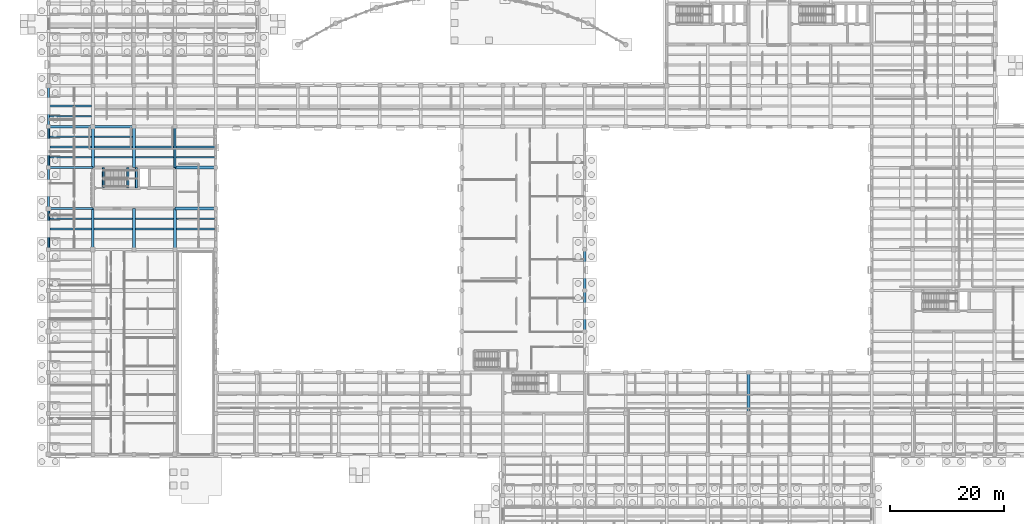
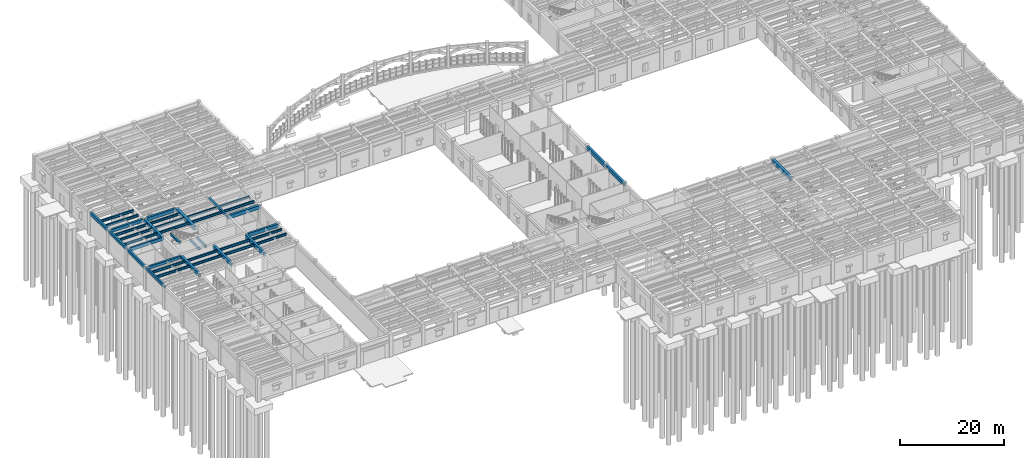
# One storey, part 21 of 100: 42 beams.
"""IFC4 building model written with IfcOpenShell, lengths in metres."""

from ifc_helpers import new_model, si_unit, direction, frame, origin, origin_2d, place, context, subcontext, project, spatial, rectangle, i_section, extrude, material, material_profile, profile_set, type_object, element, save


model = new_model("IFC4")

# Units and contexts
model_context = context("Model", 3, precision=1e-05, world=origin(), true_north=direction((0.0, 1.0)))
body_context = subcontext(model_context, "Body", "Model", "MODEL_VIEW")
ifc_project = project(units=[si_unit("LENGTHUNIT", "METRE"), si_unit("AREAUNIT", "SQUARE_METRE"), si_unit("VOLUMEUNIT", "CUBIC_METRE"), si_unit("PLANEANGLEUNIT", "RADIAN"), si_unit("MASSUNIT", "GRAM", prefix="KILO")], contexts=[model_context])

# Site, building, storey
site_placement = place(None, origin())
site = spatial("IfcSite", under=ifc_project, at=site_placement, CompositionType="ELEMENT")
building_placement = place(site_placement, origin())
building = spatial("IfcBuilding", under=site, at=building_placement, Name="Mithqara Police Headquarters", CompositionType="ELEMENT")
storey_placement = place(building_placement, origin())
storey = spatial("IfcBuildingStorey", under=building, at=storey_placement, Name="L00", CompositionType="ELEMENT", Elevation=0.0)

# Beams
ifc_material_1 = material(Name="Steel S355JR", Category="steel")
ifc_material_profile_1 = material_profile(ifc_material_1, i_section(OverallWidth=0.300048828125, OverallDepth=0.550048828125, WebThickness=0.014892578125, FlangeThickness=0.029052734375, FilletRadius=0.027099609375, at=origin_2d()), Name="HEB 550")
ifc_profile_set_1 = profile_set([ifc_material_profile_1], Name="Steel S355JR")
beam_type_1 = type_object("IfcBeamType", Name="BEAM HEB550", PredefinedType="BEAM", material=ifc_profile_set_1)
for number, where, z_axis, x_axis, name in (
    (1, (0.175048828125, 60.60009765625, 4.844970703125), (1.0, 0.0, 0.0), (0.0, 1.0, 0.0), "L00 Composite Steel Joist 1-2/J.2"),
    (2, (0.175048828125, 62.39990234375, 4.844970703125), (1.0, 0.0, 0.0), (0.0, 1.0, 0.0), "L00 Composite Steel Joist 1-2/J.3"),
):
    element("IfcBeam", number, at=place(storey_placement, frame(where, z_axis=z_axis, x_axis=x_axis)), inside=storey, type_object=beam_type_1, Name=name, PredefinedType="BEAM", context=body_context, shape_type="SweptSolid", body=[
        extrude(i_section(OverallWidth=0.300048828125, OverallDepth=0.550048828125, WebThickness=0.014892578125, FlangeThickness=0.029052734375, FilletRadius=0.027099609375, at=origin_2d()), origin(), (0.0, 0.0, 1.0), 7.39990234375),
    ])
for number, where, z_axis, x_axis, name in (
    (3, (0.175048828125, 73.199951171875, 4.844970703125), (1.0, 0.0, 0.0), (0.0, 1.0, 0.0), "L00 Composite Steel Joist 1-2/L.1"),
    (4, (0.175048828125, 75.0, 4.844970703125), (1.0, 0.0, 0.0), (0.0, 1.0, 0.0), "L00 Composite Steel Joist 1-2/L.2"),
    (5, (0.175048828125, 76.800048828125, 4.844970703125), (1.0, 0.0, 0.0), (0.0, 1.0, 0.0), "L00 Composite Steel Joist 1-2/L.3"),
):
    element("IfcBeam", number, at=place(storey_placement, frame(where, z_axis=z_axis, x_axis=x_axis)), inside=storey, type_object=beam_type_1, Name=name, PredefinedType="BEAM", context=body_context, shape_type="SweptSolid", body=[
        extrude(i_section(OverallWidth=0.300048828125, OverallDepth=0.550048828125, WebThickness=0.014892578125, FlangeThickness=0.029052734375, FilletRadius=0.027099609375, at=origin_2d()), origin(), (0.0, 0.0, 1.0), 7.375),
    ])
for number, where, z_axis, x_axis, name in (
    (6, (0.199951171875, 80.39990234375, 4.844970703125), (1.0, 0.0, 0.0), (0.0, 1.0, 0.0), "L00 Composite Steel Joist 1-2/M.1"),
    (7, (0.199951171875, 82.199951171875, 4.844970703125), (1.0, 0.0, 0.0), (0.0, 1.0, 0.0), "L00 Composite Steel Joist 1-2/M.2"),
):
    element("IfcBeam", number, at=place(storey_placement, frame(where, z_axis=z_axis, x_axis=x_axis)), inside=storey, type_object=beam_type_1, Name=name, PredefinedType="BEAM", context=body_context, shape_type="SweptSolid", body=[
        extrude(i_section(OverallWidth=0.300048828125, OverallDepth=0.550048828125, WebThickness=0.014892578125, FlangeThickness=0.029052734375, FilletRadius=0.027099609375, at=origin_2d()), origin(), (0.0, 0.0, 1.0), 7.324951171875),
    ])
for number, where, z_axis, x_axis, name in (
    (8, (8.02490234375, 60.60009765625, 4.844970703125), (1.0, 0.0, 0.0), (0.0, 1.0, 0.0), "L00 Composite Steel Joist 2-3/J.2"),
    (9, (8.02490234375, 62.39990234375, 4.844970703125), (1.0, 0.0, 0.0), (0.0, 1.0, 0.0), "L00 Composite Steel Joist 2-3/J.3"),
):
    element("IfcBeam", number, at=place(storey_placement, frame(where, z_axis=z_axis, x_axis=x_axis)), inside=storey, type_object=beam_type_1, Name=name, PredefinedType="BEAM", context=body_context, shape_type="SweptSolid", body=[
        extrude(i_section(OverallWidth=0.300048828125, OverallDepth=0.550048828125, WebThickness=0.014892578125, FlangeThickness=0.029052734375, FilletRadius=0.027099609375, at=origin_2d()), origin(), (0.0, 0.0, 1.0), 6.72509765625),
    ])
for number, where, z_axis, x_axis, name in (
    (10, (8.050048828125, 73.199951171875, 4.844970703125), (1.0, 0.0, 0.0), (0.0, 1.0, 0.0), "L00 Composite Steel Joist 2-3/L.1"),
    (11, (8.050048828125, 75.0, 4.844970703125), (1.0, 0.0, 0.0), (0.0, 1.0, 0.0), "L00 Composite Steel Joist 2-3/L.2"),
    (12, (8.050048828125, 76.800048828125, 4.844970703125), (1.0, 0.0, 0.0), (0.0, 1.0, 0.0), "L00 Composite Steel Joist 2-3/L.3"),
):
    element("IfcBeam", number, at=place(storey_placement, frame(where, z_axis=z_axis, x_axis=x_axis)), inside=storey, type_object=beam_type_1, Name=name, PredefinedType="BEAM", context=body_context, shape_type="SweptSolid", body=[
        extrude(i_section(OverallWidth=0.300048828125, OverallDepth=0.550048828125, WebThickness=0.014892578125, FlangeThickness=0.029052734375, FilletRadius=0.027099609375, at=origin_2d()), origin(), (0.0, 0.0, 1.0), 6.675048828125),
    ])
for number, where, z_axis, x_axis, name in (
    (13, (15.25, 60.60009765625, 4.844970703125), (1.0, 0.0, 0.0), (0.0, 1.0, 0.0), "L00 Composite Steel Joist 3-4/J.2"),
    (14, (15.25, 62.39990234375, 4.844970703125), (1.0, 0.0, 0.0), (0.0, 1.0, 0.0), "L00 Composite Steel Joist 3-4/J.3"),
):
    element("IfcBeam", number, at=place(storey_placement, frame(where, z_axis=z_axis, x_axis=x_axis)), inside=storey, type_object=beam_type_1, Name=name, PredefinedType="BEAM", context=body_context, shape_type="SweptSolid", body=[
        extrude(i_section(OverallWidth=0.300048828125, OverallDepth=0.550048828125, WebThickness=0.014892578125, FlangeThickness=0.029052734375, FilletRadius=0.027099609375, at=origin_2d()), origin(), (0.0, 0.0, 1.0), 6.699951171875),
    ])
for number, where, z_axis, x_axis, name in (
    (15, (15.27490234375, 73.199951171875, 4.844970703125), (1.0, 0.0, 0.0), (0.0, 1.0, 0.0), "L00 Composite Steel Joist 3-4/L.1"),
    (16, (15.27490234375, 75.0, 4.844970703125), (1.0, 0.0, 0.0), (0.0, 1.0, 0.0), "L00 Composite Steel Joist 3-4/L.2"),
):
    element("IfcBeam", number, at=place(storey_placement, frame(where, z_axis=z_axis, x_axis=x_axis)), inside=storey, type_object=beam_type_1, Name=name, PredefinedType="BEAM", context=body_context, shape_type="SweptSolid", body=[
        extrude(i_section(OverallWidth=0.300048828125, OverallDepth=0.550048828125, WebThickness=0.014892578125, FlangeThickness=0.029052734375, FilletRadius=0.027099609375, at=origin_2d()), origin(), (0.0, 0.0, 1.0), 6.75),
    ])
for number, where, z_axis, x_axis, name in (
    (17, (22.449951171875, 60.60009765625, 4.844970703125), (1.0, 0.0, 0.0), (0.0, 1.0, 0.0), "L00 Composite Steel Joist 4-5/J.2"),
    (18, (22.449951171875, 62.39990234375, 4.844970703125), (1.0, 0.0, 0.0), (0.0, 1.0, 0.0), "L00 Composite Steel Joist 4-5/J.3"),
):
    element("IfcBeam", number, at=place(storey_placement, frame(where, z_axis=z_axis, x_axis=x_axis)), inside=storey, type_object=beam_type_1, Name=name, PredefinedType="BEAM", context=body_context, shape_type="SweptSolid", body=[
        extrude(i_section(OverallWidth=0.300048828125, OverallDepth=0.550048828125, WebThickness=0.014892578125, FlangeThickness=0.029052734375, FilletRadius=0.027099609375, at=origin_2d()), origin(), (0.0, 0.0, 1.0), 6.675048828125),
    ])
for number, where, z_axis, x_axis, name in (
    (19, (22.375, 73.199951171875, 4.844970703125), (1.0, 0.0, 0.0), (0.0, 1.0, 0.0), "L00 Composite Steel Joist 4-5/L.1"),
    (20, (22.375, 75.0, 4.844970703125), (1.0, 0.0, 0.0), (0.0, 1.0, 0.0), "L00 Composite Steel Joist 4-5/L.2"),
):
    element("IfcBeam", number, at=place(storey_placement, frame(where, z_axis=z_axis, x_axis=x_axis)), inside=storey, type_object=beam_type_1, Name=name, PredefinedType="BEAM", context=body_context, shape_type="SweptSolid", body=[
        extrude(i_section(OverallWidth=0.300048828125, OverallDepth=0.550048828125, WebThickness=0.014892578125, FlangeThickness=0.029052734375, FilletRadius=0.027099609375, at=origin_2d()), origin(), (0.0, 0.0, 1.0), 6.85009765625),
    ])
ifc_material_2 = material(Name="Concrete C40/50", Category="concrete")
ifc_material_profile_2 = material_profile(ifc_material_2, rectangle(XDim=0.35009765625, YDim=0.550048828125, at=origin_2d()), Name="RC 350x550")
ifc_profile_set_2 = profile_set([ifc_material_profile_2], Name="Concrete C40/50")
beam_type_2 = type_object("IfcBeamType", Name="BEAM RC350X550", PredefinedType="BEAM", material=ifc_profile_set_2)
beam_1_placement = place(storey_placement, frame((22.199951171875, 71.39990234375, 4.844970703125), z_axis=(0.0, 1.0, 0.0), x_axis=(-1.0, 0.0, 0.0)))
element("IfcBeam", 21, at=beam_1_placement, inside=storey, type_object=beam_type_2, Name="L00 Girder 4/L-M", PredefinedType="BEAM", context=body_context, shape_type="SweptSolid", body=[
    extrude(rectangle(XDim=0.35009765625, YDim=0.550048828125, at=origin_2d()), origin(), (0.0, 0.0, 1.0), 7.2001953125),
])
for number, where, z_axis, x_axis, name in (
    (22, (13.949951171875, 67.820068359375, 2.235107421875), (0.0, 1.0, 0.0), (-1.0, 0.0, 0.0), "L00 ST-03 Half-Landing Bearer LF"),
    (23, (15.449951171875, 67.820068359375, 2.235107421875), (0.0, 1.0, 0.0), (-1.0, 0.0, 0.0), "L00 ST-03 Half-Landing Bearer LB"),
    (24, (9.576904296875, 67.820068359375, 5.125), (0.0, 1.0, 0.0), (-1.0, 0.0, 0.0), "L00 ST-03 Stairwell Trimmer Beam"),
):
    element("IfcBeam", number, at=place(storey_placement, frame(where, z_axis=z_axis, x_axis=x_axis)), inside=storey, type_object=beam_type_2, Name=name, PredefinedType="BEAM", context=body_context, shape_type="SweptSolid", body=[
        extrude(rectangle(XDim=0.35009765625, YDim=0.550048828125, at=origin_2d()), origin(), (0.0, 0.0, 1.0), 3.579833984375),
    ])
ifc_material_profile_3 = material_profile(ifc_material_2, rectangle(XDim=0.39990234375, YDim=0.64990234375, at=origin_2d()), Name="RC 400x650")
ifc_profile_set_3 = profile_set([ifc_material_profile_3], Name="Concrete C40/50")
beam_type_3 = type_object("IfcBeamType", Name="BEAM RC400X650", PredefinedType="BEAM", material=ifc_profile_set_3)
beam_2_placement = place(storey_placement, frame((0.0, 64.199951171875, 4.794921875), z_axis=(1.0, 0.0, 0.0), x_axis=(0.0, 1.0, 0.0)))
element("IfcBeam", 25, at=beam_2_placement, inside=storey, type_object=beam_type_3, Name="L00 Girder 1-2/K", PredefinedType="BEAM", context=body_context, shape_type="SweptSolid", body=[
    extrude(rectangle(XDim=0.39990234375, YDim=0.64990234375, at=origin_2d()), origin(), (0.0, 0.0, 1.0), 7.800048828125),
])
ifc_material_profile_4 = material_profile(ifc_material_2, rectangle(XDim=0.39990234375, YDim=0.75, at=origin_2d()), Name="RC 400x750")
ifc_profile_set_4 = profile_set([ifc_material_profile_4], Name="Concrete C40/50")
beam_type_4 = type_object("IfcBeamType", Name="BEAM RC400X750", PredefinedType="BEAM", material=ifc_profile_set_4)
beam_3_placement = place(storey_placement, frame((0.0, 71.39990234375, 4.7451171875), z_axis=(1.0, 0.0, 0.0), x_axis=(0.0, 1.0, 0.0)))
element("IfcBeam", 26, at=beam_3_placement, inside=storey, type_object=beam_type_4, Name="L00 Girder 1-2/L", PredefinedType="BEAM", context=body_context, shape_type="SweptSolid", body=[
    extrude(rectangle(XDim=0.39990234375, YDim=0.75, at=origin_2d()), origin(), (0.0, 0.0, 1.0), 7.800048828125),
])
ifc_material_profile_5 = material_profile(ifc_material_2, rectangle(XDim=0.449951171875, YDim=0.699951171875, at=origin_2d()), Name="RC 450x700")
ifc_profile_set_5 = profile_set([ifc_material_profile_5], Name="Concrete C40/50")
beam_type_5 = type_object("IfcBeamType", Name="BEAM RC450X700", PredefinedType="BEAM", material=ifc_profile_set_5)
beam_4_placement = place(storey_placement, frame((0.0, 78.60009765625, 4.77001953125), z_axis=(1.0, 0.0, 0.0), x_axis=(0.0, 1.0, 0.0)))
element("IfcBeam", 27, at=beam_4_placement, inside=storey, type_object=beam_type_5, Name="L00 Girder 1-2/M", PredefinedType="BEAM", context=body_context, shape_type="SweptSolid", body=[
    extrude(rectangle(XDim=0.449951171875, YDim=0.699951171875, at=origin_2d()), origin(), (0.0, 0.0, 1.0), 7.800048828125),
])
ifc_material_profile_6 = material_profile(ifc_material_2, rectangle(XDim=0.449951171875, YDim=0.800048828125, at=origin_2d()), Name="RC 450x800")
ifc_profile_set_6 = profile_set([ifc_material_profile_6], Name="Concrete C40/50")
beam_type_6 = type_object("IfcBeamType", Name="BEAM RC450X800", PredefinedType="BEAM", material=ifc_profile_set_6)
for number, where, z_axis, x_axis, name in (
    (28, (7.800048828125, 57.0, 4.719970703125), (0.0, 1.0, 0.0), (-1.0, 0.0, 0.0), "L00 Girder 2/J-K"),
    (29, (7.800048828125, 78.60009765625, 4.719970703125), (1.0, 0.0, 0.0), (0.0, 1.0, 0.0), "L00 Girder 2-3/M"),
    (30, (22.199951171875, 64.199951171875, 4.719970703125), (1.0, 0.0, 0.0), (0.0, 1.0, 0.0), "L00 Girder 4-5/K"),
):
    element("IfcBeam", number, at=place(storey_placement, frame(where, z_axis=z_axis, x_axis=x_axis)), inside=storey, type_object=beam_type_6, Name=name, PredefinedType="BEAM", context=body_context, shape_type="SweptSolid", body=[
        extrude(rectangle(XDim=0.449951171875, YDim=0.800048828125, at=origin_2d()), origin(), (0.0, 0.0, 1.0), 7.199951171875),
    ])
ifc_material_profile_7 = material_profile(ifc_material_2, rectangle(XDim=0.5, YDim=0.85009765625, at=origin_2d()), Name="RC 500x850")
ifc_profile_set_7 = profile_set([ifc_material_profile_7], Name="Concrete C40/50")
beam_type_7 = type_object("IfcBeamType", Name="BEAM RC500X850", PredefinedType="BEAM", material=ifc_profile_set_7)
for number, where, z_axis, x_axis, name in (
    (31, (15.0, 57.0, 4.695068359375), (0.0, 1.0, 0.0), (-1.0, 0.0, 0.0), "L00 Girder 3/J-K"),
    (32, (22.199951171875, 71.39990234375, 4.695068359375), (1.0, 0.0, 0.0), (0.0, 1.0, 0.0), "L00 Girder 4-5/L"),
    (33, (94.199951171875, 42.60009765625, 4.695068359375), (0.0, 1.0, 0.0), (-1.0, 0.0, 0.0), "L00 Girder 14/G-H"),
):
    element("IfcBeam", number, at=place(storey_placement, frame(where, z_axis=z_axis, x_axis=x_axis)), inside=storey, type_object=beam_type_7, Name=name, PredefinedType="BEAM", context=body_context, shape_type="SweptSolid", body=[
        extrude(rectangle(XDim=0.5, YDim=0.85009765625, at=origin_2d()), origin(), (0.0, 0.0, 1.0), 7.199951171875),
    ])
ifc_material_3 = material(Name="Concrete C50/60", Category="concrete")
ifc_material_profile_8 = material_profile(ifc_material_3, rectangle(XDim=0.5, YDim=0.89990234375, at=origin_2d()), Name="RC 500x900")
ifc_profile_set_8 = profile_set([ifc_material_profile_8], Name="Concrete C50/60")
beam_type_8 = type_object("IfcBeamType", Name="BEAM RC500X900", PredefinedType="BEAM", material=ifc_profile_set_8)
beam_5_placement = place(storey_placement, frame((7.800048828125, 71.39990234375, 4.669921875), z_axis=(0.0, 1.0, 0.0), x_axis=(-1.0, 0.0, 0.0)))
element("IfcBeam", 34, at=beam_5_placement, inside=storey, type_object=beam_type_8, Name="L00 Girder 2/L-M", PredefinedType="BEAM", context=body_context, shape_type="SweptSolid", body=[
    extrude(rectangle(XDim=0.5, YDim=0.89990234375, at=origin_2d()), origin(), (0.0, 0.0, 1.0), 7.2001953125),
])
for number, where, z_axis, x_axis, name in (
    (35, (22.199951171875, 57.0, 4.669921875), (0.0, 1.0, 0.0), (-1.0, 0.0, 0.0), "L00 Girder 4/J-K"),
    (36, (94.199951171875, 49.800048828125, 4.669921875), (0.0, 1.0, 0.0), (-1.0, 0.0, 0.0), "L00 Girder 14/H-J"),
):
    element("IfcBeam", number, at=place(storey_placement, frame(where, z_axis=z_axis, x_axis=x_axis)), inside=storey, type_object=beam_type_8, Name=name, PredefinedType="BEAM", context=body_context, shape_type="SweptSolid", body=[
        extrude(rectangle(XDim=0.5, YDim=0.89990234375, at=origin_2d()), origin(), (0.0, 0.0, 1.0), 7.199951171875),
    ])
ifc_material_profile_9 = material_profile(ifc_material_3, rectangle(XDim=0.550048828125, YDim=1.0, at=origin_2d()), Name="RC 550x1000")
ifc_profile_set_9 = profile_set([ifc_material_profile_9], Name="Concrete C50/60")
beam_type_9 = type_object("IfcBeamType", Name="BEAM RC550X1000", PredefinedType="BEAM", material=ifc_profile_set_9)
beam_6_placement = place(storey_placement, frame((15.0, 71.39990234375, 4.6201171875), z_axis=(0.0, 1.0, 0.0), x_axis=(-1.0, 0.0, 0.0)))
element("IfcBeam", 37, at=beam_6_placement, inside=storey, type_object=beam_type_9, Name="L00 Girder 3/L-M", PredefinedType="BEAM", context=body_context, shape_type="SweptSolid", body=[
    extrude(rectangle(XDim=0.550048828125, YDim=1.0, at=origin_2d()), origin(), (0.0, 0.0, 1.0), 7.2001953125),
])
beam_7_placement = place(storey_placement, frame((123.0, 28.199951171875, 4.6201171875), z_axis=(0.0, 1.0, 0.0), x_axis=(-1.0, 0.0, 0.0)))
element("IfcBeam", 38, at=beam_7_placement, inside=storey, type_object=beam_type_9, Name="L00 Girder 18/E-F", PredefinedType="BEAM", context=body_context, shape_type="SweptSolid", body=[
    extrude(rectangle(XDim=0.550048828125, YDim=1.0, at=origin_2d()), origin(), (0.0, 0.0, 1.0), 7.199951171875),
])
ifc_material_profile_10 = material_profile(ifc_material_2, rectangle(XDim=0.35009765625, YDim=0.699951171875, at=origin_2d()), Name="SPB 350x700")
ifc_profile_set_10 = profile_set([ifc_material_profile_10], Name="Concrete C40/50")
beam_type_10 = type_object("IfcBeamType", Name="SPANDREL 350X700", PredefinedType="SPANDREL", material=ifc_profile_set_10)
beam_8_placement = place(storey_placement, frame((0.0, 57.0, 4.77001953125), z_axis=(0.0, 1.0, 0.0), x_axis=(-1.0, 0.0, 0.0)))
element("IfcBeam", 39, at=beam_8_placement, inside=storey, type_object=beam_type_10, Name="L00 Girder 1/J-K", PredefinedType="SPANDREL", context=body_context, shape_type="SweptSolid", body=[
    extrude(rectangle(XDim=0.35009765625, YDim=0.699951171875, at=origin_2d()), origin(), (0.0, 0.0, 1.0), 7.199951171875),
])
beam_9_placement = place(storey_placement, frame((0.0, 71.39990234375, 4.77001953125), z_axis=(0.0, 1.0, 0.0), x_axis=(-1.0, 0.0, 0.0)))
element("IfcBeam", 40, at=beam_9_placement, inside=storey, type_object=beam_type_10, Name="L00 Girder 1/L-M", PredefinedType="SPANDREL", context=body_context, shape_type="SweptSolid", body=[
    extrude(rectangle(XDim=0.35009765625, YDim=0.699951171875, at=origin_2d()), origin(), (0.0, 0.0, 1.0), 7.2001953125),
])
ifc_material_profile_11 = material_profile(ifc_material_2, rectangle(XDim=0.39990234375, YDim=0.75, at=origin_2d()), Name="SPB 400x750")
ifc_profile_set_11 = profile_set([ifc_material_profile_11], Name="Concrete C40/50")
beam_type_11 = type_object("IfcBeamType", Name="SPANDREL 400X750", PredefinedType="SPANDREL", material=ifc_profile_set_11)
for number, where, z_axis, x_axis, name in (
    (41, (0.0, 64.199951171875, 4.7451171875), (0.0, 1.0, 0.0), (-1.0, 0.0, 0.0), "L00 Girder 1/K-L"),
    (42, (0.0, 78.60009765625, 4.7451171875), (0.0, 1.0, 0.0), (-1.0, 0.0, 0.0), "L00 Girder 1/M-N"),
):
    element("IfcBeam", number, at=place(storey_placement, frame(where, z_axis=z_axis, x_axis=x_axis)), inside=storey, type_object=beam_type_11, Name=name, PredefinedType="SPANDREL", context=body_context, shape_type="SweptSolid", body=[
        extrude(rectangle(XDim=0.39990234375, YDim=0.75, at=origin_2d()), origin(), (0.0, 0.0, 1.0), 7.199951171875),
    ])

save(model, "model.ifc")
